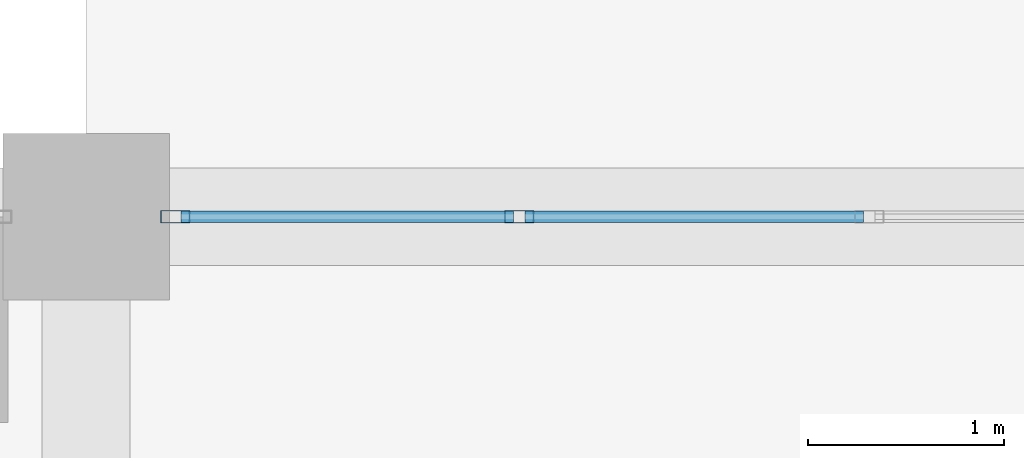
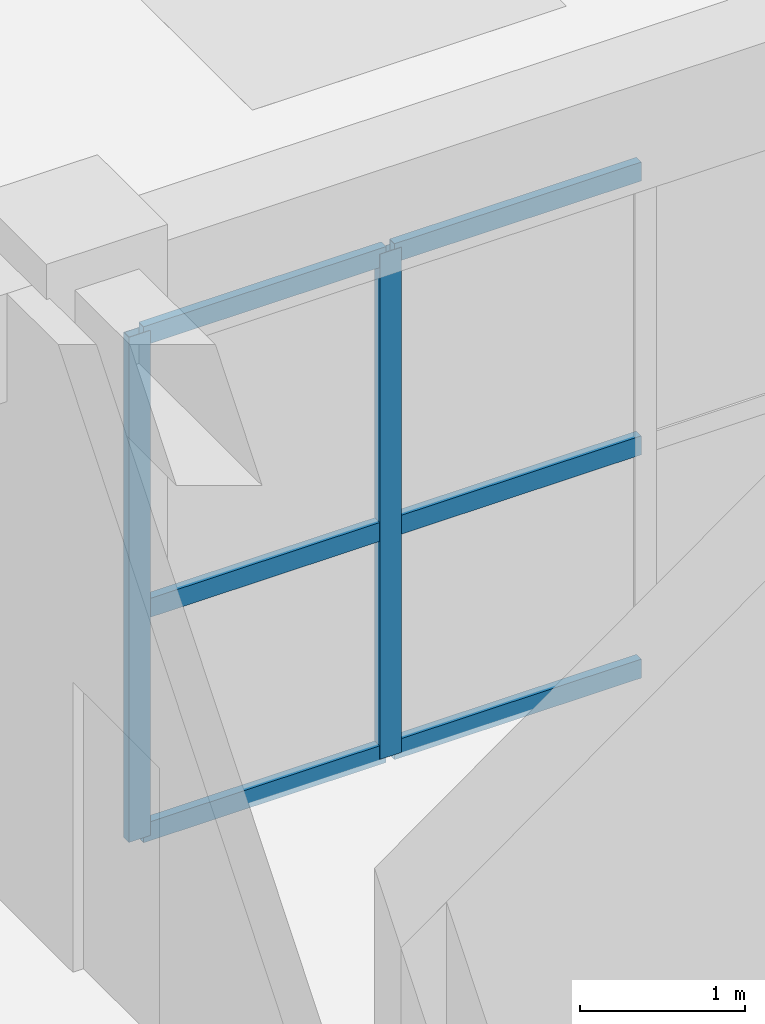
# One storey, part 39 of 101: 8 members, 1 element without a shape of its own.
"""IFC4 building model written with IfcOpenShell, lengths in metres."""

from ifc_helpers import new_model, si_unit, direction, frame, origin, origin_2d, place, context, subcontext, project, spatial, hollow_rectangle, extrude, material, material_profile, profile_set, type_object, element, aggregate, save


model = new_model("IFC4")

# Units and contexts
model_context = context("Model", 3, precision=1e-05, world=origin(), true_north=direction((0.0, 1.0)))
body_context = subcontext(model_context, "Body", "Model", "MODEL_VIEW")
ifc_project = project(units=[si_unit("LENGTHUNIT", "METRE"), si_unit("AREAUNIT", "SQUARE_METRE"), si_unit("VOLUMEUNIT", "CUBIC_METRE"), si_unit("PLANEANGLEUNIT", "RADIAN"), si_unit("MASSUNIT", "GRAM", prefix="KILO")], contexts=[model_context])

# Site, building, storey
site_placement = place(None, origin())
site = spatial("IfcSite", under=ifc_project, at=site_placement, CompositionType="ELEMENT")
building_placement = place(site_placement, origin())
building = spatial("IfcBuilding", under=site, at=building_placement, Name="Zantavel Square City Hall", CompositionType="ELEMENT")
storey_placement = place(building_placement, frame((0.0, 0.0, 5.39990234375)))
storey = spatial("IfcBuildingStorey", under=building, at=storey_placement, Name="L02", CompositionType="ELEMENT", Elevation=5.39990234375)

# Curtain wall, members
ifc_material = material(Name="Anodised aluminium 6063-T6", Category="aluminium")
curtain_wall_type = type_object("IfcCurtainWallType", Name="Curtain Wall TRV1 7150x3740", PredefinedType="USERDEFINED", material=ifc_material)
curtain_wall_placement = place(storey_placement, origin())
curtain_wall = element("IfcCurtainWall", 1, at=curtain_wall_placement, inside=storey, type_object=curtain_wall_type, Name="L02 Glazed Curtain Wall CW-L02-038", ObjectType="GLAZED CURTAIN WALL", PredefinedType="USERDEFINED")
ifc_material_profile_1 = material_profile(ifc_material, hollow_rectangle(XDim=0.06494140625, YDim=0.14990234375, WallThickness=0.00390625, at=origin_2d()), Name="ALU 65x150x4")
ifc_profile_set_1 = profile_set([ifc_material_profile_1], Name="Anodised aluminium 6063-T6")
member_type_1 = type_object("IfcMemberType", Name="CW Mullion ALU 65x150x4", PredefinedType="MULLION", material=ifc_profile_set_1)
member_1_placement = place(storey_placement, frame((64.455078125, 68.39990234375, 0.0), z_axis=(0.0, 0.0, 1.0), x_axis=(0.0, 1.0, 0.0)))
member_1 = element("IfcMember", 2, at=member_1_placement, type_object=member_type_1, Name="CW-038 mullion 1", PredefinedType="MULLION", context=body_context, shape_type="SweptSolid", body=[
    extrude(hollow_rectangle(XDim=0.06494140625, YDim=0.14990234375, WallThickness=0.00390625, at=origin_2d()), origin(), (0.0, 0.0, 1.0), 3.739990234375),
])
member_2_placement = place(storey_placement, frame((66.21240234375, 68.39990234375, 0.0), z_axis=(0.0, 0.0, 1.0), x_axis=(0.0, 1.0, 0.0)))
member_2 = element("IfcMember", 3, at=member_2_placement, type_object=member_type_1, Name="CW-038 mullion 2", PredefinedType="MULLION", context=body_context, shape_type="SweptSolid", body=[
    extrude(hollow_rectangle(XDim=0.06494140625, YDim=0.14990234375, WallThickness=0.00390625, at=origin_2d()), origin(), (0.0, 0.0, 1.0), 3.739990234375),
])
ifc_material_profile_2 = material_profile(ifc_material, hollow_rectangle(XDim=0.06005859375, YDim=0.139892578125, WallThickness=0.00390625, at=origin_2d()), Name="ALU 60x140x4")
ifc_profile_set_2 = profile_set([ifc_material_profile_2], Name="Anodised aluminium 6063-T6")
member_type_2 = type_object("IfcMemberType", Name="CW Transom ALU 60x140x4", PredefinedType="USERDEFINED", material=ifc_profile_set_2)
member_3_placement = place(storey_placement, frame((64.485107421875, 68.39990234375, 0.030029296875), z_axis=(1.0, 0.0, 0.0), x_axis=(0.0, 1.0, 0.0)))
member_3 = element("IfcMember", 4, at=member_3_placement, type_object=member_type_2, Name="CW-038 transom 1.1", ObjectType="TRANSOM", PredefinedType="USERDEFINED", context=body_context, shape_type="SweptSolid", body=[
    extrude(hollow_rectangle(XDim=0.06005859375, YDim=0.139892578125, WallThickness=0.00390625, at=origin_2d()), origin(), (0.0, 0.0, 1.0), 1.697509765625),
])
member_4_placement = place(storey_placement, frame((64.485107421875, 68.39990234375, 1.68310546875), z_axis=(1.0, 0.0, 0.0), x_axis=(0.0, 1.0, 0.0)))
member_4 = element("IfcMember", 5, at=member_4_placement, type_object=member_type_2, Name="CW-038 transom 1.2", ObjectType="TRANSOM", PredefinedType="USERDEFINED", context=body_context, shape_type="SweptSolid", body=[
    extrude(hollow_rectangle(XDim=0.06005859375, YDim=0.139892578125, WallThickness=0.00390625, at=origin_2d()), origin(), (0.0, 0.0, 1.0), 1.697509765625),
])
member_5_placement = place(storey_placement, frame((64.485107421875, 68.39990234375, 3.710205078125), z_axis=(1.0, 0.0, 0.0), x_axis=(0.0, 1.0, 0.0)))
member_5 = element("IfcMember", 6, at=member_5_placement, type_object=member_type_2, Name="CW-038 transom 1.3", ObjectType="TRANSOM", PredefinedType="USERDEFINED", context=body_context, shape_type="SweptSolid", body=[
    extrude(hollow_rectangle(XDim=0.06005859375, YDim=0.139892578125, WallThickness=0.00390625, at=origin_2d()), origin(), (0.0, 0.0, 1.0), 1.697509765625),
])
member_6_placement = place(storey_placement, frame((66.242431640625, 68.39990234375, 0.030029296875), z_axis=(1.0, 0.0, 0.0), x_axis=(0.0, 1.0, 0.0)))
member_6 = element("IfcMember", 7, at=member_6_placement, type_object=member_type_2, Name="CW-038 transom 2.1", ObjectType="TRANSOM", PredefinedType="USERDEFINED", context=body_context, shape_type="SweptSolid", body=[
    extrude(hollow_rectangle(XDim=0.06005859375, YDim=0.139892578125, WallThickness=0.00390625, at=origin_2d()), origin(), (0.0, 0.0, 1.0), 1.7275390625),
])
member_7_placement = place(storey_placement, frame((66.242431640625, 68.39990234375, 1.68310546875), z_axis=(1.0, 0.0, 0.0), x_axis=(0.0, 1.0, 0.0)))
member_7 = element("IfcMember", 8, at=member_7_placement, type_object=member_type_2, Name="CW-038 transom 2.2", ObjectType="TRANSOM", PredefinedType="USERDEFINED", context=body_context, shape_type="SweptSolid", body=[
    extrude(hollow_rectangle(XDim=0.06005859375, YDim=0.139892578125, WallThickness=0.00390625, at=origin_2d()), origin(), (0.0, 0.0, 1.0), 1.7275390625),
])
member_8_placement = place(storey_placement, frame((66.242431640625, 68.39990234375, 3.710205078125), z_axis=(1.0, 0.0, 0.0), x_axis=(0.0, 1.0, 0.0)))
member_8 = element("IfcMember", 9, at=member_8_placement, type_object=member_type_2, Name="CW-038 transom 2.3", ObjectType="TRANSOM", PredefinedType="USERDEFINED", context=body_context, shape_type="SweptSolid", body=[
    extrude(hollow_rectangle(XDim=0.06005859375, YDim=0.139892578125, WallThickness=0.00390625, at=origin_2d()), origin(), (0.0, 0.0, 1.0), 1.7275390625),
])
aggregate(curtain_wall, [member_1, member_2, member_3, member_4, member_5, member_6, member_7, member_8])

save(model, "model.ifc")
